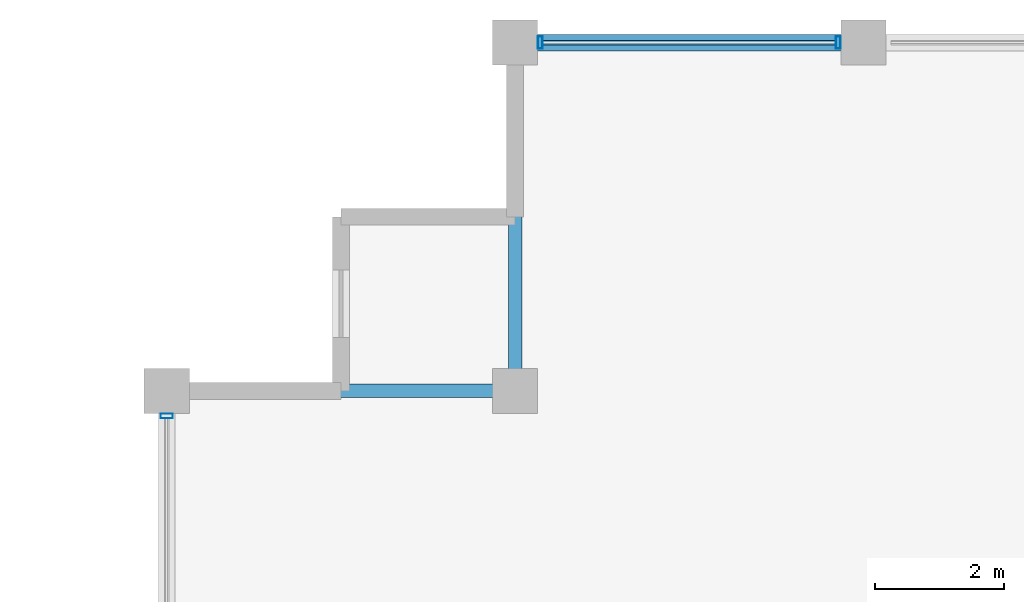
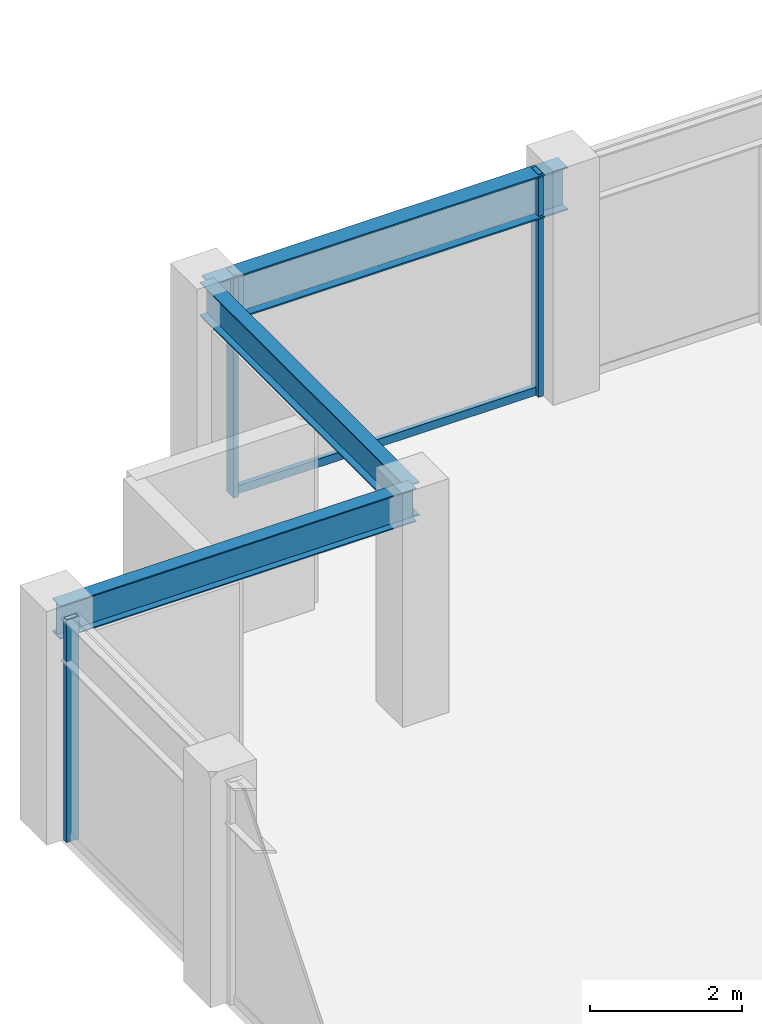
# One storey, part 14 of 29: 4 members, 3 beams, 2 elements without a shape of their own.
"""IFC4 building model written with IfcOpenShell, lengths in metres."""

from ifc_helpers import new_model, si_unit, direction, frame, origin, origin_2d, place, context, subcontext, project, spatial, hollow_rectangle, i_section, extrude, material, layer, layer_set, material_profile, profile_set, type_object, element, aggregate, save


model = new_model("IFC4")

# Units and contexts
model_context = context("Model", 3, precision=1e-05, world=origin(), true_north=direction((0.0, 1.0)))
body_context = subcontext(model_context, "Body", "Model", "MODEL_VIEW")
ifc_project = project(units=[si_unit("LENGTHUNIT", "METRE"), si_unit("AREAUNIT", "SQUARE_METRE"), si_unit("VOLUMEUNIT", "CUBIC_METRE"), si_unit("PLANEANGLEUNIT", "RADIAN"), si_unit("MASSUNIT", "GRAM", prefix="KILO")], contexts=[model_context])

# Site, building, storey
site_placement = place(None, origin())
site = spatial("IfcSite", under=ifc_project, at=site_placement, CompositionType="ELEMENT")
building_placement = place(site_placement, origin())
building = spatial("IfcBuilding", under=site, at=building_placement, Name="Surkhivell Harbour Commons", CompositionType="ELEMENT")
storey_placement = place(building_placement, frame((0.0, 0.0, 326.25)))
storey = spatial("IfcBuildingStorey", under=building, at=storey_placement, Name="L85", CompositionType="ELEMENT", Elevation=326.25)

# Beams
ifc_material_1 = material(Name="Steel S355", Category="steel")
ifc_material_profile_1 = material_profile(ifc_material_1, i_section(OverallWidth=0.2099609375, OverallDepth=0.537109375, WebThickness=0.0107421875, FlangeThickness=0.017333984375, at=origin_2d()), Name="UB533x210x101")
ifc_profile_set_1 = profile_set([ifc_material_profile_1], Name="Steel S355")
beam_type_1 = type_object("IfcBeamType", Name="BM-GRD-533B", PredefinedType="BEAM", material=ifc_profile_set_1)
for number, where, z_axis, x_axis, name in (
    (1, (-27.0, 20.5, 3.301513671875), (1.0, 0.0, 0.0), (0.0, 1.0, 0.0), "L85 Floor Girder (-27.0,20.5)"),
    (2, (-21.60009765625, 20.5, 3.301513671875), (0.0, 1.0, 0.0), (-1.0, 0.0, 0.0), "L85 Floor Girder (-21.6,20.5)"),
):
    element("IfcBeam", number, at=place(storey_placement, frame(where, z_axis=z_axis, x_axis=x_axis)), inside=storey, type_object=beam_type_1, Name=name, PredefinedType="BEAM", context=body_context, shape_type="SweptSolid", body=[
        extrude(i_section(OverallWidth=0.2099609375, OverallDepth=0.537109375, WebThickness=0.0107421875, FlangeThickness=0.017333984375, at=origin_2d()), origin(), (0.0, 0.0, 1.0), 5.39990234375),
    ])
ifc_material_profile_2 = material_profile(ifc_material_1, i_section(OverallWidth=0.256103515625, OverallDepth=0.693115234375, WebThickness=0.014404296875, FlangeThickness=0.023681640625, at=origin_2d()), Name="UB686x254x170")
ifc_profile_set_2 = profile_set([ifc_material_profile_2], Name="Steel S355")
beam_type_2 = type_object("IfcBeamType", Name="BM-SPN-686", PredefinedType="SPANDREL", material=ifc_profile_set_2)
beam_placement = place(storey_placement, frame((-21.60009765625, 25.89990234375, 3.223388671875), z_axis=(1.0, 0.0, 0.0), x_axis=(0.0, 1.0, 0.0)))
element("IfcBeam", 3, at=beam_placement, inside=storey, type_object=beam_type_2, Name="L85 Tube Spandrel (-21.6,25.9)", PredefinedType="SPANDREL", context=body_context, shape_type="SweptSolid", body=[
    extrude(i_section(OverallWidth=0.256103515625, OverallDepth=0.693115234375, WebThickness=0.014404296875, FlangeThickness=0.023681640625, at=origin_2d()), origin(), (0.0, 0.0, 1.0), 5.400146484375),
])

# Curtain wall, members
ifc_material_2 = material(Name="Anodised pale-metal aluminium and insulated glazing", Category="aluminium")
ifc_layer = layer(ifc_material_2, 0.175048828125)
ifc_layer_set = layer_set([ifc_layer], Name="Anodised pale-metal aluminium and insulated glazing")
curtain_wall_type = type_object("IfcCurtainWallType", Name="CW-SYS-Z4", PredefinedType="NOTDEFINED", material=ifc_layer_set)
curtain_wall_1_placement = place(storey_placement, origin())
curtain_wall_1 = element("IfcCurtainWall", 4, at=curtain_wall_1_placement, inside=storey, type_object=curtain_wall_type, Name="L85 Curtain Wall CW-L85-E07S2", PredefinedType="NOTDEFINED")
ifc_material_3 = material(Name="Anodised pale-metal aluminium alloy 6063-T6", Category="aluminium")
ifc_material_profile_3 = material_profile(ifc_material_3, hollow_rectangle(XDim=0.074951171875, YDim=0.18994140625, WallThickness=0.00390625, at=origin_2d()), Name="ALU-MULL-75x190")
ifc_profile_set_3 = profile_set([ifc_material_profile_3], Name="Anodised pale-metal aluminium alloy 6063-T6")
member_type_1 = type_object("IfcMemberType", Name="CWM-190", PredefinedType="MULLION", material=ifc_profile_set_3)
member_1_placement = place(storey_placement, frame((-16.589599609375, 25.89990234375, 0.0), z_axis=(0.0, 0.0, 1.0), x_axis=(-1.0, 0.0, 0.0)))
member_1 = element("IfcMember", 5, at=member_1_placement, type_object=member_type_1, Name="CW-Z4 mullion 3", PredefinedType="MULLION", context=body_context, shape_type="SweptSolid", body=[
    extrude(hollow_rectangle(XDim=0.074951171875, YDim=0.18994140625, WallThickness=0.00390625, at=origin_2d()), origin(), (0.0, 0.0, 1.0), 3.570068359375),
])
member_2_placement = place(storey_placement, frame((-21.21044921875, 25.89990234375, 0.0), z_axis=(0.0, 0.0, 1.0), x_axis=(-1.0, 0.0, 0.0)))
member_2 = element("IfcMember", 6, at=member_2_placement, type_object=member_type_1, Name="CW-Z4 mullion 4", PredefinedType="MULLION", context=body_context, shape_type="SweptSolid", body=[
    extrude(hollow_rectangle(XDim=0.074951171875, YDim=0.18994140625, WallThickness=0.00390625, at=origin_2d()), origin(), (0.0, 0.0, 1.0), 3.570068359375),
])

# Curtain wall, member
curtain_wall_2_placement = place(storey_placement, origin())
curtain_wall_2 = element("IfcCurtainWall", 7, at=curtain_wall_2_placement, inside=storey, type_object=curtain_wall_type, Name="L85 Curtain Wall CW-L85-E12S1", PredefinedType="NOTDEFINED")
member_3_placement = place(storey_placement, frame((-27.0, 20.110595703125, 0.0), z_axis=(0.0, 0.0, 1.0), x_axis=(0.0, -1.0, 0.0)))
member_3 = element("IfcMember", 8, at=member_3_placement, type_object=member_type_1, Name="CW-Z4 mullion 1", PredefinedType="MULLION", context=body_context, shape_type="SweptSolid", body=[
    extrude(hollow_rectangle(XDim=0.074951171875, YDim=0.18994140625, WallThickness=0.00390625, at=origin_2d()), origin(), (0.0, 0.0, 1.0), 3.570068359375),
])
aggregate(curtain_wall_2, [member_3])

# Member
ifc_material_4 = material(Name="Champagne anodised aluminium alloy 6063-T6", Category="aluminium")
ifc_material_profile_4 = material_profile(ifc_material_4, hollow_rectangle(XDim=0.070068359375, YDim=0.1298828125, WallThickness=0.00341796875, at=origin_2d()), Name="ALU-TRAN-70x130")
ifc_profile_set_4 = profile_set([ifc_material_profile_4], Name="Champagne anodised aluminium alloy 6063-T6")
member_type_2 = type_object("IfcMemberType", Name="CWT-130", PredefinedType="USERDEFINED", material=ifc_profile_set_4)
member_4_placement = place(storey_placement, frame((-16.626953125, 25.89990234375, 0.06494140625), z_axis=(-1.0, 0.0, 0.0), x_axis=(0.0, -1.0, 0.0)))
member_4 = element("IfcMember", 9, at=member_4_placement, type_object=member_type_2, Name="CW-Z4 transom 3.1", ObjectType="TRANSOM", PredefinedType="USERDEFINED", context=body_context, shape_type="SweptSolid", body=[
    extrude(hollow_rectangle(XDim=0.070068359375, YDim=0.1298828125, WallThickness=0.00341796875, at=origin_2d()), origin(), (0.0, 0.0, 1.0), 4.546142578125),
])

aggregate(curtain_wall_1, [member_1, member_2, member_4])

save(model, "model.ifc")
